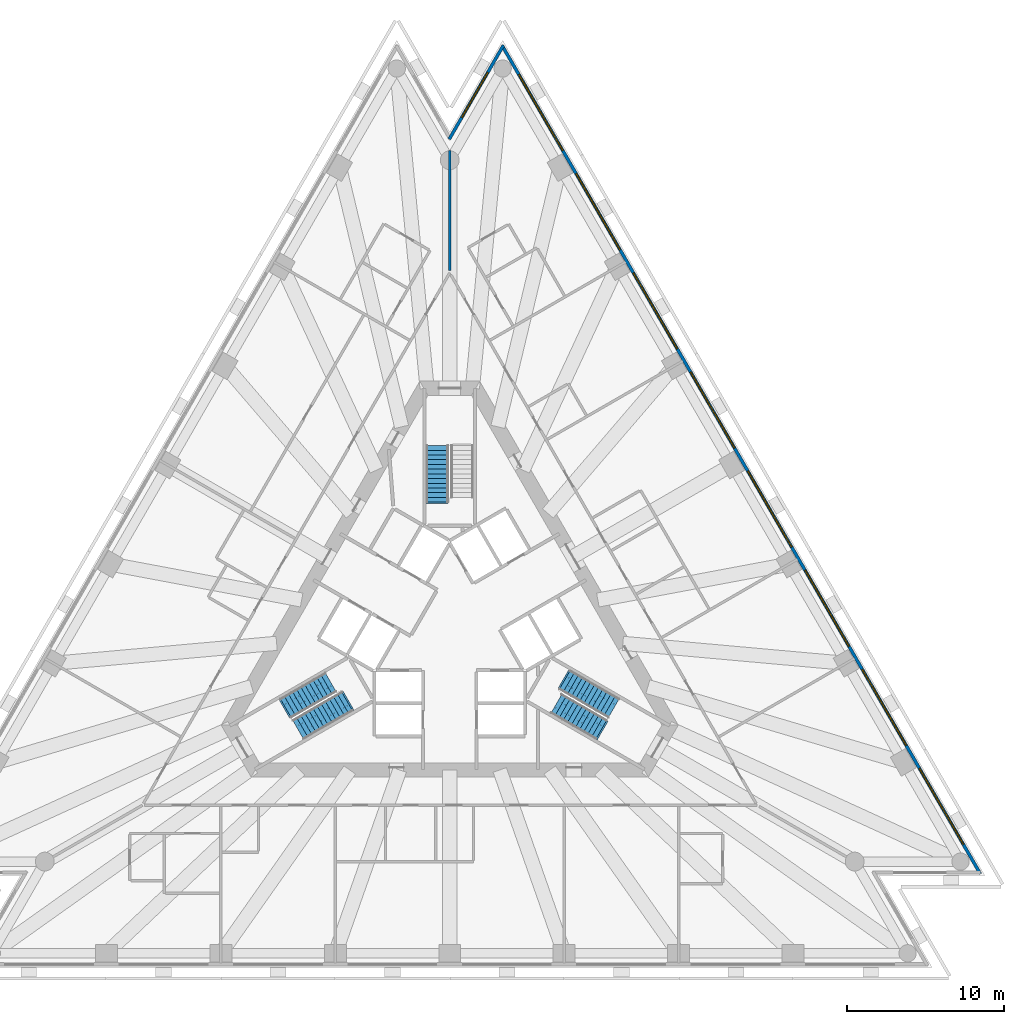
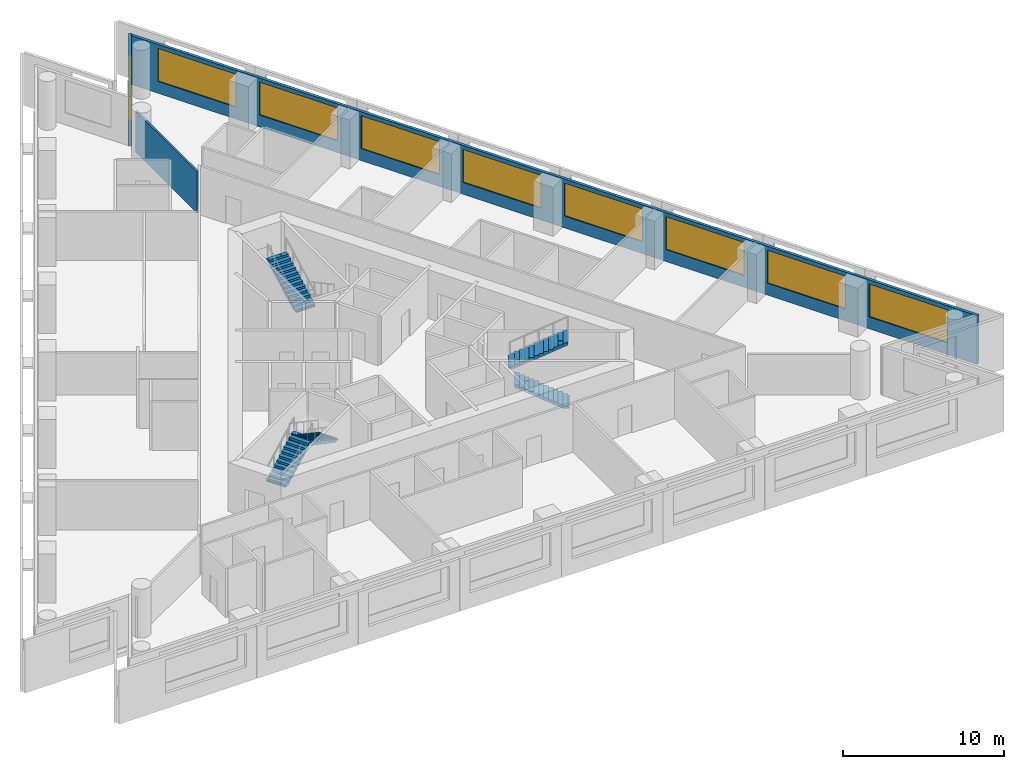
# One storey, part 8 of 11: 9 windows, 5 stair flights, 3 walls, 9 openings, 3 elements without a shape of their own.
"""IFC4 building model written with IfcOpenShell, lengths in metres."""

from ifc_helpers import new_model, si_unit, direction, frame, frame_2d, origin, place, context, subcontext, project, spatial, polyline, rectangle, outline, extrude, material, layer, layer_set, layer_usage, type_object, element, fill, aggregate, save


model = new_model("IFC4")

# Units and contexts
model_context = context("Model", 3, precision=1e-05, world=origin(), true_north=direction((0.0, 1.0)))
body_context = subcontext(model_context, "Body", "Model", "MODEL_VIEW")
ifc_project = project(units=[si_unit("LENGTHUNIT", "METRE"), si_unit("AREAUNIT", "SQUARE_METRE"), si_unit("VOLUMEUNIT", "CUBIC_METRE"), si_unit("PLANEANGLEUNIT", "RADIAN"), si_unit("MASSUNIT", "GRAM", prefix="KILO")], contexts=[model_context])

# Site, building, storey
site_placement = place(None, origin())
site = spatial("IfcSite", under=ifc_project, at=site_placement, CompositionType="ELEMENT")
building_placement = place(site_placement, origin())
building = spatial("IfcBuilding", under=site, at=building_placement, Name="Triada Interchange Tower", CompositionType="ELEMENT")
storey_placement = place(building_placement, frame((0.0, 0.0, 79.300048828125)))
storey = spatial("IfcBuildingStorey", under=building, at=storey_placement, Name="L17", CompositionType="ELEMENT", Elevation=79.300048828125)

# Wall, openings, windows
ifc_material_1 = material(Name="Cement board")
ifc_layer_1 = layer(ifc_material_1, 0.02001953125, Name="Cement board cladding")
ifc_material_2 = material(Name="Sheathing board")
ifc_layer_2 = layer(ifc_material_2, 0.014892578125, Name="Sheathing board")
ifc_material_3 = material(Name="Mineral wool")
ifc_layer_3 = layer(ifc_material_3, 0.14990234375, Name="Mineral wool between steel studs")
ifc_material_4 = material(Name="Gypsum board")
ifc_layer_4 = layer(ifc_material_4, 0.014892578125, Name="Plasterboard lining")
ifc_layer_set_1 = layer_set([ifc_layer_1, ifc_layer_2, ifc_layer_3, ifc_layer_4], Name="External wall 200")
ifc_layer_usage = layer_usage(ifc_layer_set_1, "AXIS2", "POSITIVE", -0.10009765625)
wall_type_1 = type_object("IfcWallType", Name="External wall 200", PredefinedType="ELEMENTEDWALL", material=ifc_layer_set_1)
wall_1_placement = place(storey_placement, frame((33.779052734375, -15.662109375, 0.0), z_axis=(0.0, 0.0, 1.0), x_axis=(-0.500000131003, 0.86602532815, 0.0)))
wall_1 = element("IfcWall", 1, at=wall_1_placement, inside=storey, type_object=wall_type_1, material=ifc_layer_usage, Name="External wall L17 NE", PredefinedType="ELEMENTEDWALL", context=body_context, shape_type="SweptSolid", body=[
    extrude(rectangle(XDim=60.88623046875, YDim=0.199951171875, at=frame_2d((30.443115234375, 0.0))), origin(), (0.0, 0.0, 1.0), 3.699951171875),
])
opening_1_placement = place(wall_1_placement, frame((2.14697265625, 0.0, 0.89990234375)))
opening_1 = element("IfcOpeningElement", 2, at=opening_1_placement, cuts=wall_1, Name="Opening WA21", PredefinedType="OPENING", context=body_context, shape_type="SweptSolid", body=[
    extrude(rectangle(XDim=5.60009765625, YDim=2.5, at=frame_2d((2.800048828125, 1.25))), frame((0.0, 0.10986328125, 0.0), z_axis=(0.0, -1.0, 0.0), x_axis=(1.0, 0.0, 0.0)), (0.0, 0.0, 1.0), 0.219970703125),
])
opening_2_placement = place(wall_1_placement, frame((9.43408203125, 0.0, 0.89990234375)))
opening_2 = element("IfcOpeningElement", 3, at=opening_2_placement, cuts=wall_1, Name="Opening WA22", PredefinedType="OPENING", context=body_context, shape_type="SweptSolid", body=[
    extrude(rectangle(XDim=5.60009765625, YDim=2.5, at=frame_2d((2.800048828125, 1.25))), frame((0.0, 0.10986328125, 0.0), z_axis=(0.0, -1.0, 0.0), x_axis=(1.0, 0.0, 0.0)), (0.0, 0.0, 1.0), 0.219970703125),
])
opening_3_placement = place(wall_1_placement, frame((16.721923828125, 0.0, 0.89990234375)))
opening_3 = element("IfcOpeningElement", 4, at=opening_3_placement, cuts=wall_1, Name="Opening WA23", PredefinedType="OPENING", context=body_context, shape_type="SweptSolid", body=[
    extrude(rectangle(XDim=5.60009765625, YDim=2.5, at=frame_2d((2.800048828125, 1.25))), frame((0.0, 0.10986328125, 0.0), z_axis=(0.0, -1.0, 0.0), x_axis=(1.0, 0.0, 0.0)), (0.0, 0.0, 1.0), 0.219970703125),
])
opening_4_placement = place(wall_1_placement, frame((24.009033203125, 0.0, 0.89990234375)))
opening_4 = element("IfcOpeningElement", 5, at=opening_4_placement, cuts=wall_1, Name="Opening WA24", PredefinedType="OPENING", context=body_context, shape_type="SweptSolid", body=[
    extrude(rectangle(XDim=5.60009765625, YDim=2.5, at=frame_2d((2.800048828125, 1.25))), frame((0.0, 0.10986328125, 0.0), z_axis=(0.0, -1.0, 0.0), x_axis=(1.0, 0.0, 0.0)), (0.0, 0.0, 1.0), 0.219970703125),
])
opening_5_placement = place(wall_1_placement, frame((31.297119140625, 0.0, 0.89990234375)))
opening_5 = element("IfcOpeningElement", 6, at=opening_5_placement, cuts=wall_1, Name="Opening WA25", PredefinedType="OPENING", context=body_context, shape_type="SweptSolid", body=[
    extrude(rectangle(XDim=5.60009765625, YDim=2.5, at=frame_2d((2.800048828125, 1.25))), frame((0.0, 0.10986328125, 0.0), z_axis=(0.0, -1.0, 0.0), x_axis=(1.0, 0.0, 0.0)), (0.0, 0.0, 1.0), 0.219970703125),
])
opening_6_placement = place(wall_1_placement, frame((38.583984375, 0.0, 0.89990234375)))
opening_6 = element("IfcOpeningElement", 7, at=opening_6_placement, cuts=wall_1, Name="Opening WA26", PredefinedType="OPENING", context=body_context, shape_type="SweptSolid", body=[
    extrude(rectangle(XDim=5.60009765625, YDim=2.5, at=frame_2d((2.800048828125, 1.25))), frame((0.0, 0.10986328125, 0.0), z_axis=(0.0, -1.0, 0.0), x_axis=(1.0, 0.0, 0.0)), (0.0, 0.0, 1.0), 0.219970703125),
])
opening_7_placement = place(wall_1_placement, frame((45.8720703125, 0.0, 0.89990234375)))
opening_7 = element("IfcOpeningElement", 8, at=opening_7_placement, cuts=wall_1, Name="Opening WA27", PredefinedType="OPENING", context=body_context, shape_type="SweptSolid", body=[
    extrude(rectangle(XDim=5.60009765625, YDim=2.5, at=frame_2d((2.800048828125, 1.25))), frame((0.0, 0.10986328125, 0.0), z_axis=(0.0, -1.0, 0.0), x_axis=(1.0, 0.0, 0.0)), (0.0, 0.0, 1.0), 0.219970703125),
])
opening_8_placement = place(wall_1_placement, frame((53.159912109375, 0.0, 0.89990234375)))
opening_8 = element("IfcOpeningElement", 9, at=opening_8_placement, cuts=wall_1, Name="Opening WA28", PredefinedType="OPENING", context=body_context, shape_type="SweptSolid", body=[
    extrude(rectangle(XDim=5.60009765625, YDim=2.5, at=frame_2d((2.800048828125, 1.25))), frame((0.0, 0.10986328125, 0.0), z_axis=(0.0, -1.0, 0.0), x_axis=(1.0, 0.0, 0.0)), (0.0, 0.0, 1.0), 0.219970703125),
])
ifc_material_5 = material(Name="Double glazed aluminium window", Category="aluminium")
window_type_1 = type_object("IfcWindowType", Name="Ribbon window A face", PartitioningType="SINGLE_PANEL", PredefinedType="WINDOW", material=ifc_material_5)
window_1_placement = place(opening_1_placement, origin())
window_1 = element("IfcWindow", 10, at=window_1_placement, inside=storey, type_object=window_type_1, Name="Window L17 NE 1", OverallHeight=2.5, OverallWidth=5.60009765625, PartitioningType="SINGLE_PANEL", PredefinedType="WINDOW", context=body_context, shape_type="SweptSolid", body=[
    extrude(rectangle(XDim=5.60009765625, YDim=2.5, at=frame_2d((2.800048828125, 1.25))), frame((0.0, 0.030029296875, 0.0), z_axis=(0.0, -1.0, 0.0), x_axis=(1.0, 0.0, 0.0)), (0.0, 0.0, 1.0), 0.06005859375),
])
fill(opening_1, window_1)
window_2_placement = place(opening_2_placement, origin())
window_2 = element("IfcWindow", 11, at=window_2_placement, inside=storey, type_object=window_type_1, Name="Window L17 NE 2", OverallHeight=2.5, OverallWidth=5.60009765625, PartitioningType="SINGLE_PANEL", PredefinedType="WINDOW", context=body_context, shape_type="SweptSolid", body=[
    extrude(rectangle(XDim=5.60009765625, YDim=2.5, at=frame_2d((2.800048828125, 1.25))), frame((0.0, 0.030029296875, 0.0), z_axis=(0.0, -1.0, 0.0), x_axis=(1.0, 0.0, 0.0)), (0.0, 0.0, 1.0), 0.06005859375),
])
fill(opening_2, window_2)
window_3_placement = place(opening_3_placement, origin())
window_3 = element("IfcWindow", 12, at=window_3_placement, inside=storey, type_object=window_type_1, Name="Window L17 NE 3", OverallHeight=2.5, OverallWidth=5.60009765625, PartitioningType="SINGLE_PANEL", PredefinedType="WINDOW", context=body_context, shape_type="SweptSolid", body=[
    extrude(rectangle(XDim=5.60009765625, YDim=2.5, at=frame_2d((2.800048828125, 1.25))), frame((0.0, 0.030029296875, 0.0), z_axis=(0.0, -1.0, 0.0), x_axis=(1.0, 0.0, 0.0)), (0.0, 0.0, 1.0), 0.06005859375),
])
fill(opening_3, window_3)
window_4_placement = place(opening_4_placement, origin())
window_4 = element("IfcWindow", 13, at=window_4_placement, inside=storey, type_object=window_type_1, Name="Window L17 NE 4", OverallHeight=2.5, OverallWidth=5.60009765625, PartitioningType="SINGLE_PANEL", PredefinedType="WINDOW", context=body_context, shape_type="SweptSolid", body=[
    extrude(rectangle(XDim=5.60009765625, YDim=2.5, at=frame_2d((2.800048828125, 1.25))), frame((0.0, 0.030029296875, 0.0), z_axis=(0.0, -1.0, 0.0), x_axis=(1.0, 0.0, 0.0)), (0.0, 0.0, 1.0), 0.06005859375),
])
fill(opening_4, window_4)
window_5_placement = place(opening_5_placement, origin())
window_5 = element("IfcWindow", 14, at=window_5_placement, inside=storey, type_object=window_type_1, Name="Window L17 NE 5", OverallHeight=2.5, OverallWidth=5.60009765625, PartitioningType="SINGLE_PANEL", PredefinedType="WINDOW", context=body_context, shape_type="SweptSolid", body=[
    extrude(rectangle(XDim=5.60009765625, YDim=2.5, at=frame_2d((2.800048828125, 1.25))), frame((0.0, 0.030029296875, 0.0), z_axis=(0.0, -1.0, 0.0), x_axis=(1.0, 0.0, 0.0)), (0.0, 0.0, 1.0), 0.06005859375),
])
fill(opening_5, window_5)
window_6_placement = place(opening_6_placement, origin())
window_6 = element("IfcWindow", 15, at=window_6_placement, inside=storey, type_object=window_type_1, Name="Window L17 NE 6", OverallHeight=2.5, OverallWidth=5.60009765625, PartitioningType="SINGLE_PANEL", PredefinedType="WINDOW", context=body_context, shape_type="SweptSolid", body=[
    extrude(rectangle(XDim=5.60009765625, YDim=2.5, at=frame_2d((2.800048828125, 1.25))), frame((0.0, 0.030029296875, 0.0), z_axis=(0.0, -1.0, 0.0), x_axis=(1.0, 0.0, 0.0)), (0.0, 0.0, 1.0), 0.06005859375),
])
fill(opening_6, window_6)
window_7_placement = place(opening_7_placement, origin())
window_7 = element("IfcWindow", 16, at=window_7_placement, inside=storey, type_object=window_type_1, Name="Window L17 NE 7", OverallHeight=2.5, OverallWidth=5.60009765625, PartitioningType="SINGLE_PANEL", PredefinedType="WINDOW", context=body_context, shape_type="SweptSolid", body=[
    extrude(rectangle(XDim=5.60009765625, YDim=2.5, at=frame_2d((2.800048828125, 1.25))), frame((0.0, 0.030029296875, 0.0), z_axis=(0.0, -1.0, 0.0), x_axis=(1.0, 0.0, 0.0)), (0.0, 0.0, 1.0), 0.06005859375),
])
fill(opening_7, window_7)
window_8_placement = place(opening_8_placement, origin())
window_8 = element("IfcWindow", 17, at=window_8_placement, inside=storey, type_object=window_type_1, Name="Window L17 NE 8", OverallHeight=2.5, OverallWidth=5.60009765625, PartitioningType="SINGLE_PANEL", PredefinedType="WINDOW", context=body_context, shape_type="SweptSolid", body=[
    extrude(rectangle(XDim=5.60009765625, YDim=2.5, at=frame_2d((2.800048828125, 1.25))), frame((0.0, 0.030029296875, 0.0), z_axis=(0.0, -1.0, 0.0), x_axis=(1.0, 0.0, 0.0)), (0.0, 0.0, 1.0), 0.06005859375),
])
fill(opening_8, window_8)

# Wall, opening, window
wall_2_placement = place(storey_placement, frame((3.416015625, 37.083984375, 0.0), z_axis=(0.0, 0.0, 1.0), x_axis=(-0.500008243208, -0.866020644514, 0.0)))
wall_2 = element("IfcWall", 18, at=wall_2_placement, inside=storey, type_object=wall_type_1, material=ifc_layer_usage, Name="External wall L17 N-1", PredefinedType="ELEMENTEDWALL", context=body_context, shape_type="SweptSolid", body=[
    extrude(rectangle(XDim=6.90185546875, YDim=0.199951171875, at=frame_2d((3.450927734375, 0.0))), origin(), (0.0, 0.0, 1.0), 3.699951171875),
])
opening_9_placement = place(wall_2_placement, frame((1.989990234375, 0.0, 0.89990234375)))
opening_9 = element("IfcOpeningElement", 19, at=opening_9_placement, cuts=wall_2, Name="Opening WA29", PredefinedType="OPENING", context=body_context, shape_type="SweptSolid", body=[
    extrude(rectangle(XDim=3.300048828125, YDim=2.5, at=frame_2d((1.64990234375, 1.25))), frame((0.0, 0.10986328125, 0.0), z_axis=(0.0, -1.0, 0.0), x_axis=(1.0, 0.0, 0.0)), (0.0, 0.0, 1.0), 0.219970703125),
])
window_type_2 = type_object("IfcWindowType", Name="Ribbon window A pocket", PartitioningType="SINGLE_PANEL", PredefinedType="WINDOW", material=ifc_material_5)
window_9_placement = place(opening_9_placement, origin())
window_9 = element("IfcWindow", 20, at=window_9_placement, inside=storey, type_object=window_type_2, Name="Window L17 N-1 1", OverallHeight=2.5, OverallWidth=3.300048828125, PartitioningType="SINGLE_PANEL", PredefinedType="WINDOW", context=body_context, shape_type="SweptSolid", body=[
    extrude(rectangle(XDim=3.300048828125, YDim=2.5, at=frame_2d((1.64990234375, 1.25))), frame((0.0, 0.030029296875, 0.0), z_axis=(0.0, -1.0, 0.0), x_axis=(1.0, 0.0, 0.0)), (0.0, 0.0, 1.0), 0.06005859375),
])
fill(opening_9, window_9)

# Wall
ifc_material_6 = material(Name="Gypsum board partition")
ifc_layer_5 = layer(ifc_material_6, 0.14990234375)
ifc_layer_set_2 = layer_set([ifc_layer_5], Name="PARTITION 150 EI 180")
wall_type_2 = type_object("IfcWallType", Name="PARTITION 150 EI 180", PredefinedType="PARTITIONING", material=ifc_layer_set_2)
wall_3_placement = place(storey_placement, frame((0.0, 22.75, 0.0), z_axis=(0.0, 0.0, 1.0), x_axis=(0.0, 1.0, 0.0)))
element("IfcWall", 21, at=wall_3_placement, inside=storey, type_object=wall_type_2, Name="Wall L15 20", PredefinedType="PARTITIONING", context=body_context, shape_type="SweptSolid", body=[
    extrude(rectangle(XDim=7.637939453125, YDim=0.14990234375, at=frame_2d((3.81884765625, 0.0))), origin(), (0.0, 0.0, 1.0), 3.099853515625),
])

# Stair, stair flight
ifc_material_7 = material(Name="Concrete C35/45", Category="concrete")
stair_type = type_object("IfcStairType", Name="HALF TURN STAIR 1400", PredefinedType="HALF_TURN_STAIR", material=ifc_material_7)
stair_1_placement = place(storey_placement, origin())
stair_1 = element("IfcStair", 22, at=stair_1_placement, inside=storey, type_object=stair_type, Name="Exit stair S15-1", PredefinedType="HALF_TURN_STAIR")
stair_flight_type = type_object("IfcStairFlightType", Name="STRAIGHT STAIR FLIGHT 1400", PredefinedType="STRAIGHT", material=ifc_material_7)
stair_flight_1_placement = place(storey_placement, frame((-0.800048828125, 8.0, 1.919921875), z_axis=(0.0, 0.0, 1.0), x_axis=(0.0, 1.0, 0.0)))
stair_flight_1 = element("IfcStairFlight", 23, at=stair_flight_1_placement, type_object=stair_flight_type, Name="S15-1 flight 2", NumberOfRisers=13, NumberOfTreads=12, PredefinedType="STRAIGHT", RiserHeight=0.16, TreadLength=0.3, context=body_context, shape_type="SweptSolid", body=[
    extrude(outline(polyline([(-0.10009765625, 0.0), (-0.10009765625, 0.02001953125), (0.0, 0.02001953125), (0.0, 0.159912109375), (0.300048828125, 0.159912109375), (0.300048828125, 0.320068359375), (0.60009765625, 0.320068359375), (0.60009765625, 0.47998046875), (0.89990234375, 0.47998046875), (0.89990234375, 0.639892578125), (1.199951171875, 0.639892578125), (1.199951171875, 0.800048828125), (1.5, 0.800048828125), (1.5, 0.9599609375), (1.800048828125, 0.9599609375), (1.800048828125, 1.1201171875), (2.10009765625, 1.1201171875), (2.10009765625, 1.280029296875), (2.39990234375, 1.280029296875), (2.39990234375, 1.43994140625), (2.699951171875, 1.43994140625), (2.699951171875, 1.60009765625), (3.0, 1.60009765625), (3.0, 1.760009765625), (3.300048828125, 1.760009765625), (3.300048828125, 1.919921875), (3.60009765625, 1.919921875), (3.60400390625, 1.919921875), (3.60400390625, 2.080078125), (3.60400390625, 1.75), (0.318603515625, 0.0), (-0.10009765625, 0.0)])), frame((0.0, 0.699951171875, 0.0), z_axis=(0.0, -1.0, 0.0), x_axis=(1.0, 0.0, 0.0)), (0.0, 0.0, 1.0), 0.46533203125),
    extrude(outline(polyline([(-0.10009765625, 0.0), (-0.10009765625, 0.02001953125), (0.0, 0.02001953125), (0.0, 0.159912109375), (0.300048828125, 0.159912109375), (0.300048828125, 0.320068359375), (0.60009765625, 0.320068359375), (0.60009765625, 0.47998046875), (0.89990234375, 0.47998046875), (0.89990234375, 0.639892578125), (1.199951171875, 0.639892578125), (1.199951171875, 0.800048828125), (1.5, 0.800048828125), (1.5, 0.9599609375), (1.800048828125, 0.9599609375), (1.800048828125, 1.1201171875), (2.10009765625, 1.1201171875), (2.10009765625, 1.280029296875), (2.39990234375, 1.280029296875), (2.39990234375, 1.43994140625), (2.699951171875, 1.43994140625), (2.699951171875, 1.60009765625), (3.0, 1.60009765625), (3.0, 1.760009765625), (3.300048828125, 1.760009765625), (3.300048828125, 1.919921875), (3.60009765625, 1.919921875), (3.60400390625, 1.919921875), (3.60400390625, 2.080078125), (3.60400390625, 1.75), (0.318603515625, 0.0), (-0.10009765625, 0.0)])), frame((0.0, 0.232666015625, 0.0), z_axis=(0.0, -1.0, 0.0), x_axis=(1.0, 0.0, 0.0)), (0.0, 0.0, 1.0), 0.46533203125),
    extrude(outline(polyline([(-0.10009765625, 0.0), (-0.10009765625, 0.02001953125), (0.0, 0.02001953125), (0.0, 0.159912109375), (0.300048828125, 0.159912109375), (0.300048828125, 0.320068359375), (0.60009765625, 0.320068359375), (0.60009765625, 0.47998046875), (0.89990234375, 0.47998046875), (0.89990234375, 0.639892578125), (1.199951171875, 0.639892578125), (1.199951171875, 0.800048828125), (1.5, 0.800048828125), (1.5, 0.9599609375), (1.800048828125, 0.9599609375), (1.800048828125, 1.1201171875), (2.10009765625, 1.1201171875), (2.10009765625, 1.280029296875), (2.39990234375, 1.280029296875), (2.39990234375, 1.43994140625), (2.699951171875, 1.43994140625), (2.699951171875, 1.60009765625), (3.0, 1.60009765625), (3.0, 1.760009765625), (3.300048828125, 1.760009765625), (3.300048828125, 1.919921875), (3.60009765625, 1.919921875), (3.60400390625, 1.919921875), (3.60400390625, 2.080078125), (3.60400390625, 1.75), (0.318603515625, 0.0), (-0.10009765625, 0.0)])), frame((0.0, -0.234619140625, 0.0), z_axis=(0.0, -1.0, 0.0), x_axis=(1.0, 0.0, 0.0)), (0.0, 0.0, 1.0), 0.46533203125),
])
aggregate(stair_1, [stair_flight_1])

# Stair, stair flights
stair_2_placement = place(storey_placement, origin())
stair_2 = element("IfcStair", 24, at=stair_2_placement, inside=storey, type_object=stair_type, Name="Exit stair S15-2", PredefinedType="HALF_TURN_STAIR")
stair_flight_2_placement = place(storey_placement, frame((-10.446044921875, -5.10693359375, 0.0), z_axis=(0.0, 0.0, 1.0), x_axis=(0.866025403784, 0.5, 0.0)))
stair_flight_2 = element("IfcStairFlight", 25, at=stair_flight_2_placement, type_object=stair_flight_type, Name="S15-2 flight 1", NumberOfRisers=12, NumberOfTreads=11, PredefinedType="STRAIGHT", RiserHeight=0.16, TreadLength=0.3, context=body_context, shape_type="SweptSolid", body=[
    extrude(outline(polyline([(-0.10009765625, 0.0), (-0.10009765625, 0.02001953125), (0.0, 0.02001953125), (0.0, 0.159912109375), (0.300048828125, 0.159912109375), (0.300048828125, 0.320068359375), (0.60009765625, 0.320068359375), (0.60009765625, 0.47998046875), (0.89990234375, 0.47998046875), (0.89990234375, 0.639892578125), (1.199951171875, 0.639892578125), (1.199951171875, 0.800048828125), (1.5, 0.800048828125), (1.5, 0.9599609375), (1.800048828125, 0.9599609375), (1.800048828125, 1.1201171875), (2.10009765625, 1.1201171875), (2.10009765625, 1.280029296875), (2.39990234375, 1.280029296875), (2.39990234375, 1.43994140625), (2.699951171875, 1.43994140625), (2.699951171875, 1.60009765625), (3.0, 1.60009765625), (3.0, 1.760009765625), (3.300048828125, 1.760009765625), (3.303955078125, 1.760009765625), (3.303955078125, 1.919921875), (3.303955078125, 1.590087890625), (0.318603515625, 0.0), (-0.10009765625, 0.0)])), frame((0.0, 0.699951171875, 0.0), z_axis=(0.0, -1.0, 0.0), x_axis=(1.0, 0.0, 0.0)), (0.0, 0.0, 1.0), 0.46533203125),
    extrude(outline(polyline([(-0.10009765625, 0.0), (-0.10009765625, 0.02001953125), (0.0, 0.02001953125), (0.0, 0.159912109375), (0.300048828125, 0.159912109375), (0.300048828125, 0.320068359375), (0.60009765625, 0.320068359375), (0.60009765625, 0.47998046875), (0.89990234375, 0.47998046875), (0.89990234375, 0.639892578125), (1.199951171875, 0.639892578125), (1.199951171875, 0.800048828125), (1.5, 0.800048828125), (1.5, 0.9599609375), (1.800048828125, 0.9599609375), (1.800048828125, 1.1201171875), (2.10009765625, 1.1201171875), (2.10009765625, 1.280029296875), (2.39990234375, 1.280029296875), (2.39990234375, 1.43994140625), (2.699951171875, 1.43994140625), (2.699951171875, 1.60009765625), (3.0, 1.60009765625), (3.0, 1.760009765625), (3.300048828125, 1.760009765625), (3.303955078125, 1.760009765625), (3.303955078125, 1.919921875), (3.303955078125, 1.590087890625), (0.318603515625, 0.0), (-0.10009765625, 0.0)])), frame((0.0, 0.232666015625, 0.0), z_axis=(0.0, -1.0, 0.0), x_axis=(1.0, 0.0, 0.0)), (0.0, 0.0, 1.0), 0.46533203125),
    extrude(outline(polyline([(-0.10009765625, 0.0), (-0.10009765625, 0.02001953125), (0.0, 0.02001953125), (0.0, 0.159912109375), (0.300048828125, 0.159912109375), (0.300048828125, 0.320068359375), (0.60009765625, 0.320068359375), (0.60009765625, 0.47998046875), (0.89990234375, 0.47998046875), (0.89990234375, 0.639892578125), (1.199951171875, 0.639892578125), (1.199951171875, 0.800048828125), (1.5, 0.800048828125), (1.5, 0.9599609375), (1.800048828125, 0.9599609375), (1.800048828125, 1.1201171875), (2.10009765625, 1.1201171875), (2.10009765625, 1.280029296875), (2.39990234375, 1.280029296875), (2.39990234375, 1.43994140625), (2.699951171875, 1.43994140625), (2.699951171875, 1.60009765625), (3.0, 1.60009765625), (3.0, 1.760009765625), (3.300048828125, 1.760009765625), (3.303955078125, 1.760009765625), (3.303955078125, 1.919921875), (3.303955078125, 1.590087890625), (0.318603515625, 0.0), (-0.10009765625, 0.0)])), frame((0.0, -0.234619140625, 0.0), z_axis=(0.0, -1.0, 0.0), x_axis=(1.0, 0.0, 0.0)), (0.0, 0.0, 1.0), 0.46533203125),
])
stair_flight_3_placement = place(storey_placement, frame((-6.528076171875, -4.693115234375, 1.919921875), z_axis=(0.0, 0.0, 1.0), x_axis=(-0.866025403784, -0.5, 0.0)))
stair_flight_3 = element("IfcStairFlight", 26, at=stair_flight_3_placement, type_object=stair_flight_type, Name="S15-2 flight 2", NumberOfRisers=13, NumberOfTreads=12, PredefinedType="STRAIGHT", RiserHeight=0.16, TreadLength=0.3, context=body_context, shape_type="SweptSolid", body=[
    extrude(outline(polyline([(-0.10009765625, 0.0), (-0.10009765625, 0.02001953125), (0.0, 0.02001953125), (0.0, 0.159912109375), (0.300048828125, 0.159912109375), (0.300048828125, 0.320068359375), (0.60009765625, 0.320068359375), (0.60009765625, 0.47998046875), (0.89990234375, 0.47998046875), (0.89990234375, 0.639892578125), (1.199951171875, 0.639892578125), (1.199951171875, 0.800048828125), (1.5, 0.800048828125), (1.5, 0.9599609375), (1.800048828125, 0.9599609375), (1.800048828125, 1.1201171875), (2.10009765625, 1.1201171875), (2.10009765625, 1.280029296875), (2.39990234375, 1.280029296875), (2.39990234375, 1.43994140625), (2.699951171875, 1.43994140625), (2.699951171875, 1.60009765625), (3.0, 1.60009765625), (3.0, 1.760009765625), (3.300048828125, 1.760009765625), (3.300048828125, 1.919921875), (3.60009765625, 1.919921875), (3.60400390625, 1.919921875), (3.60400390625, 2.080078125), (3.60400390625, 1.75), (0.318603515625, 0.0), (-0.10009765625, 0.0)])), frame((0.0, 0.699951171875, 0.0), z_axis=(0.0, -1.0, 0.0), x_axis=(1.0, 0.0, 0.0)), (0.0, 0.0, 1.0), 0.46533203125),
    extrude(outline(polyline([(-0.10009765625, 0.0), (-0.10009765625, 0.02001953125), (0.0, 0.02001953125), (0.0, 0.159912109375), (0.300048828125, 0.159912109375), (0.300048828125, 0.320068359375), (0.60009765625, 0.320068359375), (0.60009765625, 0.47998046875), (0.89990234375, 0.47998046875), (0.89990234375, 0.639892578125), (1.199951171875, 0.639892578125), (1.199951171875, 0.800048828125), (1.5, 0.800048828125), (1.5, 0.9599609375), (1.800048828125, 0.9599609375), (1.800048828125, 1.1201171875), (2.10009765625, 1.1201171875), (2.10009765625, 1.280029296875), (2.39990234375, 1.280029296875), (2.39990234375, 1.43994140625), (2.699951171875, 1.43994140625), (2.699951171875, 1.60009765625), (3.0, 1.60009765625), (3.0, 1.760009765625), (3.300048828125, 1.760009765625), (3.300048828125, 1.919921875), (3.60009765625, 1.919921875), (3.60400390625, 1.919921875), (3.60400390625, 2.080078125), (3.60400390625, 1.75), (0.318603515625, 0.0), (-0.10009765625, 0.0)])), frame((0.0, 0.232666015625, 0.0), z_axis=(0.0, -1.0, 0.0), x_axis=(1.0, 0.0, 0.0)), (0.0, 0.0, 1.0), 0.46533203125),
    extrude(outline(polyline([(-0.10009765625, 0.0), (-0.10009765625, 0.02001953125), (0.0, 0.02001953125), (0.0, 0.159912109375), (0.300048828125, 0.159912109375), (0.300048828125, 0.320068359375), (0.60009765625, 0.320068359375), (0.60009765625, 0.47998046875), (0.89990234375, 0.47998046875), (0.89990234375, 0.639892578125), (1.199951171875, 0.639892578125), (1.199951171875, 0.800048828125), (1.5, 0.800048828125), (1.5, 0.9599609375), (1.800048828125, 0.9599609375), (1.800048828125, 1.1201171875), (2.10009765625, 1.1201171875), (2.10009765625, 1.280029296875), (2.39990234375, 1.280029296875), (2.39990234375, 1.43994140625), (2.699951171875, 1.43994140625), (2.699951171875, 1.60009765625), (3.0, 1.60009765625), (3.0, 1.760009765625), (3.300048828125, 1.760009765625), (3.300048828125, 1.919921875), (3.60009765625, 1.919921875), (3.60400390625, 1.919921875), (3.60400390625, 2.080078125), (3.60400390625, 1.75), (0.318603515625, 0.0), (-0.10009765625, 0.0)])), frame((0.0, -0.234619140625, 0.0), z_axis=(0.0, -1.0, 0.0), x_axis=(1.0, 0.0, 0.0)), (0.0, 0.0, 1.0), 0.46533203125),
])
aggregate(stair_2, [stair_flight_2, stair_flight_3])

stair_3_placement = place(storey_placement, origin())
stair_3 = element("IfcStair", 27, at=stair_3_placement, inside=storey, type_object=stair_type, Name="Exit stair S15-3", PredefinedType="HALF_TURN_STAIR")
stair_flight_4_placement = place(storey_placement, frame((9.64599609375, -6.492919921875, 0.0), z_axis=(0.0, 0.0, 1.0), x_axis=(-0.866025403784, 0.5, 0.0)))
stair_flight_4 = element("IfcStairFlight", 28, at=stair_flight_4_placement, type_object=stair_flight_type, Name="S15-3 flight 1", NumberOfRisers=12, NumberOfTreads=11, PredefinedType="STRAIGHT", RiserHeight=0.16, TreadLength=0.3, context=body_context, shape_type="SweptSolid", body=[
    extrude(outline(polyline([(-0.10009765625, 0.0), (-0.10009765625, 0.02001953125), (0.0, 0.02001953125), (0.0, 0.159912109375), (0.300048828125, 0.159912109375), (0.300048828125, 0.320068359375), (0.60009765625, 0.320068359375), (0.60009765625, 0.47998046875), (0.89990234375, 0.47998046875), (0.89990234375, 0.639892578125), (1.199951171875, 0.639892578125), (1.199951171875, 0.800048828125), (1.5, 0.800048828125), (1.5, 0.9599609375), (1.800048828125, 0.9599609375), (1.800048828125, 1.1201171875), (2.10009765625, 1.1201171875), (2.10009765625, 1.280029296875), (2.39990234375, 1.280029296875), (2.39990234375, 1.43994140625), (2.699951171875, 1.43994140625), (2.699951171875, 1.60009765625), (3.0, 1.60009765625), (3.0, 1.760009765625), (3.300048828125, 1.760009765625), (3.303955078125, 1.760009765625), (3.303955078125, 1.919921875), (3.303955078125, 1.590087890625), (0.318603515625, 0.0), (-0.10009765625, 0.0)])), frame((0.0, 0.699951171875, 0.0), z_axis=(0.0, -1.0, 0.0), x_axis=(1.0, 0.0, 0.0)), (0.0, 0.0, 1.0), 0.46533203125),
    extrude(outline(polyline([(-0.10009765625, 0.0), (-0.10009765625, 0.02001953125), (0.0, 0.02001953125), (0.0, 0.159912109375), (0.300048828125, 0.159912109375), (0.300048828125, 0.320068359375), (0.60009765625, 0.320068359375), (0.60009765625, 0.47998046875), (0.89990234375, 0.47998046875), (0.89990234375, 0.639892578125), (1.199951171875, 0.639892578125), (1.199951171875, 0.800048828125), (1.5, 0.800048828125), (1.5, 0.9599609375), (1.800048828125, 0.9599609375), (1.800048828125, 1.1201171875), (2.10009765625, 1.1201171875), (2.10009765625, 1.280029296875), (2.39990234375, 1.280029296875), (2.39990234375, 1.43994140625), (2.699951171875, 1.43994140625), (2.699951171875, 1.60009765625), (3.0, 1.60009765625), (3.0, 1.760009765625), (3.300048828125, 1.760009765625), (3.303955078125, 1.760009765625), (3.303955078125, 1.919921875), (3.303955078125, 1.590087890625), (0.318603515625, 0.0), (-0.10009765625, 0.0)])), frame((0.0, 0.232666015625, 0.0), z_axis=(0.0, -1.0, 0.0), x_axis=(1.0, 0.0, 0.0)), (0.0, 0.0, 1.0), 0.46533203125),
    extrude(outline(polyline([(-0.10009765625, 0.0), (-0.10009765625, 0.02001953125), (0.0, 0.02001953125), (0.0, 0.159912109375), (0.300048828125, 0.159912109375), (0.300048828125, 0.320068359375), (0.60009765625, 0.320068359375), (0.60009765625, 0.47998046875), (0.89990234375, 0.47998046875), (0.89990234375, 0.639892578125), (1.199951171875, 0.639892578125), (1.199951171875, 0.800048828125), (1.5, 0.800048828125), (1.5, 0.9599609375), (1.800048828125, 0.9599609375), (1.800048828125, 1.1201171875), (2.10009765625, 1.1201171875), (2.10009765625, 1.280029296875), (2.39990234375, 1.280029296875), (2.39990234375, 1.43994140625), (2.699951171875, 1.43994140625), (2.699951171875, 1.60009765625), (3.0, 1.60009765625), (3.0, 1.760009765625), (3.300048828125, 1.760009765625), (3.303955078125, 1.760009765625), (3.303955078125, 1.919921875), (3.303955078125, 1.590087890625), (0.318603515625, 0.0), (-0.10009765625, 0.0)])), frame((0.0, -0.234619140625, 0.0), z_axis=(0.0, -1.0, 0.0), x_axis=(1.0, 0.0, 0.0)), (0.0, 0.0, 1.0), 0.46533203125),
])
stair_flight_5_placement = place(storey_placement, frame((7.327880859375, -3.306884765625, 1.919921875), z_axis=(0.0, 0.0, 1.0), x_axis=(0.866025403784, -0.5, 0.0)))
stair_flight_5 = element("IfcStairFlight", 29, at=stair_flight_5_placement, type_object=stair_flight_type, Name="S15-3 flight 2", NumberOfRisers=13, NumberOfTreads=12, PredefinedType="STRAIGHT", RiserHeight=0.16, TreadLength=0.3, context=body_context, shape_type="SweptSolid", body=[
    extrude(outline(polyline([(-0.10009765625, 0.0), (-0.10009765625, 0.02001953125), (0.0, 0.02001953125), (0.0, 0.159912109375), (0.300048828125, 0.159912109375), (0.300048828125, 0.320068359375), (0.60009765625, 0.320068359375), (0.60009765625, 0.47998046875), (0.89990234375, 0.47998046875), (0.89990234375, 0.639892578125), (1.199951171875, 0.639892578125), (1.199951171875, 0.800048828125), (1.5, 0.800048828125), (1.5, 0.9599609375), (1.800048828125, 0.9599609375), (1.800048828125, 1.1201171875), (2.10009765625, 1.1201171875), (2.10009765625, 1.280029296875), (2.39990234375, 1.280029296875), (2.39990234375, 1.43994140625), (2.699951171875, 1.43994140625), (2.699951171875, 1.60009765625), (3.0, 1.60009765625), (3.0, 1.760009765625), (3.300048828125, 1.760009765625), (3.300048828125, 1.919921875), (3.60009765625, 1.919921875), (3.60400390625, 1.919921875), (3.60400390625, 2.080078125), (3.60400390625, 1.75), (0.318603515625, 0.0), (-0.10009765625, 0.0)])), frame((0.0, 0.699951171875, 0.0), z_axis=(0.0, -1.0, 0.0), x_axis=(1.0, 0.0, 0.0)), (0.0, 0.0, 1.0), 0.46533203125),
    extrude(outline(polyline([(-0.10009765625, 0.0), (-0.10009765625, 0.02001953125), (0.0, 0.02001953125), (0.0, 0.159912109375), (0.300048828125, 0.159912109375), (0.300048828125, 0.320068359375), (0.60009765625, 0.320068359375), (0.60009765625, 0.47998046875), (0.89990234375, 0.47998046875), (0.89990234375, 0.639892578125), (1.199951171875, 0.639892578125), (1.199951171875, 0.800048828125), (1.5, 0.800048828125), (1.5, 0.9599609375), (1.800048828125, 0.9599609375), (1.800048828125, 1.1201171875), (2.10009765625, 1.1201171875), (2.10009765625, 1.280029296875), (2.39990234375, 1.280029296875), (2.39990234375, 1.43994140625), (2.699951171875, 1.43994140625), (2.699951171875, 1.60009765625), (3.0, 1.60009765625), (3.0, 1.760009765625), (3.300048828125, 1.760009765625), (3.300048828125, 1.919921875), (3.60009765625, 1.919921875), (3.60400390625, 1.919921875), (3.60400390625, 2.080078125), (3.60400390625, 1.75), (0.318603515625, 0.0), (-0.10009765625, 0.0)])), frame((0.0, 0.232666015625, 0.0), z_axis=(0.0, -1.0, 0.0), x_axis=(1.0, 0.0, 0.0)), (0.0, 0.0, 1.0), 0.46533203125),
    extrude(outline(polyline([(-0.10009765625, 0.0), (-0.10009765625, 0.02001953125), (0.0, 0.02001953125), (0.0, 0.159912109375), (0.300048828125, 0.159912109375), (0.300048828125, 0.320068359375), (0.60009765625, 0.320068359375), (0.60009765625, 0.47998046875), (0.89990234375, 0.47998046875), (0.89990234375, 0.639892578125), (1.199951171875, 0.639892578125), (1.199951171875, 0.800048828125), (1.5, 0.800048828125), (1.5, 0.9599609375), (1.800048828125, 0.9599609375), (1.800048828125, 1.1201171875), (2.10009765625, 1.1201171875), (2.10009765625, 1.280029296875), (2.39990234375, 1.280029296875), (2.39990234375, 1.43994140625), (2.699951171875, 1.43994140625), (2.699951171875, 1.60009765625), (3.0, 1.60009765625), (3.0, 1.760009765625), (3.300048828125, 1.760009765625), (3.300048828125, 1.919921875), (3.60009765625, 1.919921875), (3.60400390625, 1.919921875), (3.60400390625, 2.080078125), (3.60400390625, 1.75), (0.318603515625, 0.0), (-0.10009765625, 0.0)])), frame((0.0, -0.234619140625, 0.0), z_axis=(0.0, -1.0, 0.0), x_axis=(1.0, 0.0, 0.0)), (0.0, 0.0, 1.0), 0.46533203125),
])
aggregate(stair_3, [stair_flight_4, stair_flight_5])

save(model, "model.ifc")
